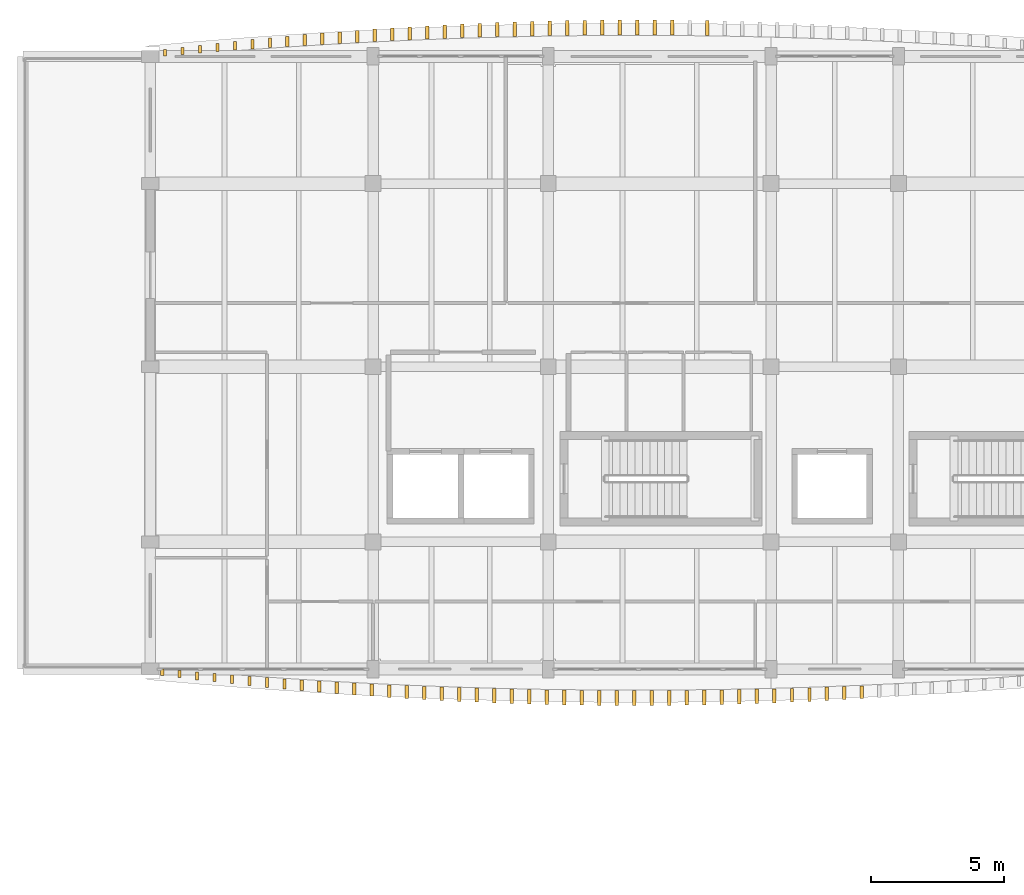
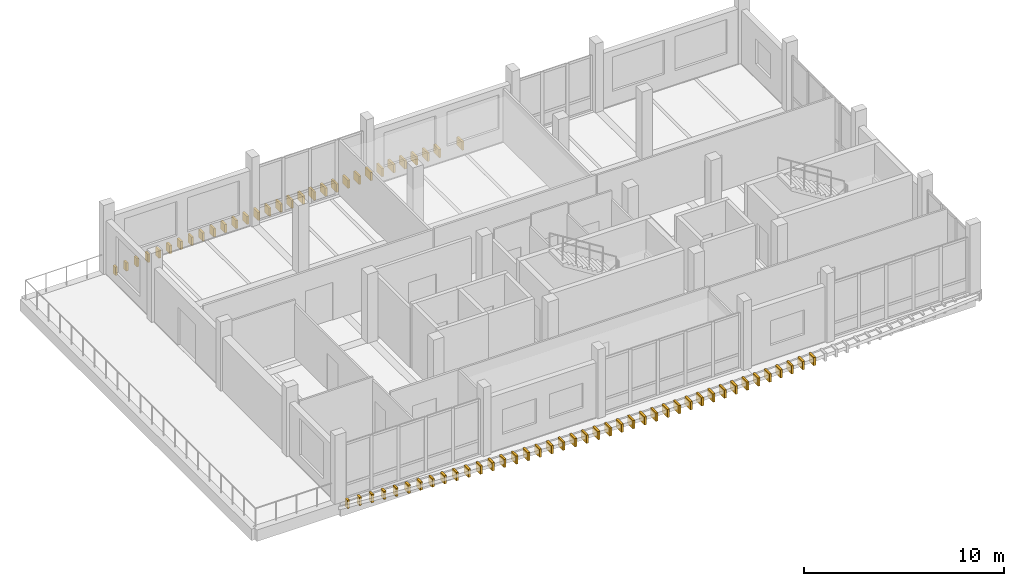
# One storey, part 18 of 20: 72 coverings.
"""IFC4 building model written with IfcOpenShell, lengths in metres."""

from ifc_helpers import new_model, si_unit, direction, frame, origin, origin_2d, place, context, subcontext, project, spatial, rectangle, extrude, material, layer, layer_set, type_object, element, save


model = new_model("IFC4")

# Units and contexts
model_context = context("Model", 3, precision=1e-05, world=origin(), true_north=direction((0.0, 1.0)))
body_context = subcontext(model_context, "Body", "Model", "MODEL_VIEW")
ifc_project = project(units=[si_unit("LENGTHUNIT", "METRE"), si_unit("AREAUNIT", "SQUARE_METRE"), si_unit("VOLUMEUNIT", "CUBIC_METRE"), si_unit("PLANEANGLEUNIT", "RADIAN"), si_unit("MASSUNIT", "GRAM", prefix="KILO")], contexts=[model_context])

# Site, building, storey
site_placement = place(None, origin())
site = spatial("IfcSite", under=ifc_project, at=site_placement, CompositionType="ELEMENT")
building_placement = place(site_placement, origin())
building = spatial("IfcBuilding", under=site, at=building_placement, Name="Dornvale Research Institute", CompositionType="ELEMENT")
storey_placement = place(building_placement, frame((0.0, 0.0, 34.199951171875)))
storey = spatial("IfcBuildingStorey", under=building, at=storey_placement, Name="L07", CompositionType="ELEMENT", Elevation=34.199951171875)

# Coverings
ifc_material = material(Name="Polychrome Glazed Terracotta Visor Rib Ceramic", Category="masonry")
ifc_layer = layer(ifc_material, 0.1201171875)
ifc_layer_set = layer_set([ifc_layer], Name="Polychrome Glazed Terracotta Visor Rib Ceramic")
covering_type = type_object("IfcCoveringType", Name="Covering_VisorBlade_Main", PredefinedType="CLADDING", material=ifc_layer_set)
covering_1_placement = place(storey_placement, frame((5.248291015625, 98.88232421875, -0.489990234375), z_axis=(0.0, 0.0, 1.0), x_axis=(0.0, 1.0, 0.0)))
element("IfcCovering", 1, at=covering_1_placement, inside=storey, type_object=covering_type, Name="L07 V5 canted glazed terracotta visor blade #1195", PredefinedType="CLADDING", context=body_context, shape_type="SweptSolid", body=[
    extrude(rectangle(XDim=0.236083984375, YDim=0.1201171875, at=origin_2d()), origin(), (0.0, 0.0, 1.0), 0.5),
])
covering_2_placement = place(storey_placement, frame((5.90576171875, 98.81201171875, -0.489990234375), z_axis=(0.0, 0.0, 1.0), x_axis=(0.0, 1.0, 0.0)))
element("IfcCovering", 2, at=covering_2_placement, inside=storey, type_object=covering_type, Name="L07 V5 canted glazed terracotta visor blade #1196", PredefinedType="CLADDING", context=body_context, shape_type="SweptSolid", body=[
    extrude(rectangle(XDim=0.260009765625, YDim=0.1201171875, at=origin_2d()), origin(), (0.0, 0.0, 1.0), 0.5),
])
covering_3_placement = place(storey_placement, frame((6.563232421875, 98.742919921875, -0.489990234375), z_axis=(0.0, 0.0, 1.0), x_axis=(0.0, 1.0, 0.0)))
element("IfcCovering", 3, at=covering_3_placement, inside=storey, type_object=covering_type, Name="L07 V5 canted glazed terracotta visor blade #1197", PredefinedType="CLADDING", context=body_context, shape_type="SweptSolid", body=[
    extrude(rectangle(XDim=0.282958984375, YDim=0.1201171875, at=origin_2d()), origin(), (0.0, 0.0, 1.0), 0.5),
])
covering_4_placement = place(storey_placement, frame((7.220947265625, 98.6796875, -0.489990234375), z_axis=(0.0, 0.0, 1.0), x_axis=(0.0, 1.0, 0.0)))
element("IfcCovering", 4, at=covering_4_placement, inside=storey, type_object=covering_type, Name="L07 V5 canted glazed terracotta visor blade #1198", PredefinedType="CLADDING", context=body_context, shape_type="SweptSolid", body=[
    extrude(rectangle(XDim=0.303955078125, YDim=0.1201171875, at=origin_2d()), origin(), (0.0, 0.0, 1.0), 0.5),
])
covering_5_placement = place(storey_placement, frame((7.87890625, 98.616455078125, -0.489990234375), z_axis=(0.0, 0.0, 1.0), x_axis=(0.0, 1.0, 0.0)))
element("IfcCovering", 5, at=covering_5_placement, inside=storey, type_object=covering_type, Name="L07 V5 canted glazed terracotta visor blade #1199", PredefinedType="CLADDING", context=body_context, shape_type="SweptSolid", body=[
    extrude(rectangle(XDim=0.324951171875, YDim=0.1201171875, at=origin_2d()), origin(), (0.0, 0.0, 1.0), 0.5),
])
covering_6_placement = place(storey_placement, frame((8.537109375, 98.55712890625, -0.489990234375), z_axis=(0.0, 0.0, 1.0), x_axis=(0.0, 1.0, 0.0)))
element("IfcCovering", 6, at=covering_6_placement, inside=storey, type_object=covering_type, Name="L07 V5 canted glazed terracotta visor blade #1200", PredefinedType="CLADDING", context=body_context, shape_type="SweptSolid", body=[
    extrude(rectangle(XDim=0.344970703125, YDim=0.1201171875, at=origin_2d()), origin(), (0.0, 0.0, 1.0), 0.5),
])
covering_7_placement = place(storey_placement, frame((9.1953125, 98.500244140625, -0.489990234375), z_axis=(0.0, 0.0, 1.0), x_axis=(0.0, 1.0, 0.0)))
element("IfcCovering", 7, at=covering_7_placement, inside=storey, type_object=covering_type, Name="L07 V5 canted glazed terracotta visor blade #1201", PredefinedType="CLADDING", context=body_context, shape_type="SweptSolid", body=[
    extrude(rectangle(XDim=0.364013671875, YDim=0.1201171875, at=origin_2d()), origin(), (0.0, 0.0, 1.0), 0.5),
])
covering_8_placement = place(storey_placement, frame((9.853759765625, 98.444580078125, -0.489990234375), z_axis=(0.0, 0.0, 1.0), x_axis=(0.0, 1.0, 0.0)))
element("IfcCovering", 8, at=covering_8_placement, inside=storey, type_object=covering_type, Name="L07 V5 canted glazed terracotta visor blade #1202", PredefinedType="CLADDING", context=body_context, shape_type="SweptSolid", body=[
    extrude(rectangle(XDim=0.382080078125, YDim=0.1201171875, at=origin_2d()), origin(), (0.0, 0.0, 1.0), 0.5),
])
covering_9_placement = place(storey_placement, frame((10.512451171875, 98.394287109375, -0.489990234375), z_axis=(0.0, 0.0, 1.0), x_axis=(0.0, 1.0, 0.0)))
element("IfcCovering", 9, at=covering_9_placement, inside=storey, type_object=covering_type, Name="L07 V5 canted glazed terracotta visor blade #1203", PredefinedType="CLADDING", context=body_context, shape_type="SweptSolid", body=[
    extrude(rectangle(XDim=0.39892578125, YDim=0.1201171875, at=origin_2d()), origin(), (0.0, 0.0, 1.0), 0.5),
])
covering_10_placement = place(storey_placement, frame((11.171142578125, 98.34423828125, -0.489990234375), z_axis=(0.0, 0.0, 1.0), x_axis=(0.0, 1.0, 0.0)))
element("IfcCovering", 10, at=covering_10_placement, inside=storey, type_object=covering_type, Name="L07 V5 canted glazed terracotta visor blade #1204", PredefinedType="CLADDING", context=body_context, shape_type="SweptSolid", body=[
    extrude(rectangle(XDim=0.416015625, YDim=0.1201171875, at=origin_2d()), origin(), (0.0, 0.0, 1.0), 0.5),
])
covering_11_placement = place(storey_placement, frame((11.829833984375, 98.298095703125, -0.489990234375), z_axis=(0.0, 0.0, 1.0), x_axis=(0.0, 1.0, 0.0)))
element("IfcCovering", 11, at=covering_11_placement, inside=storey, type_object=covering_type, Name="L07 V5 canted glazed terracotta visor blade #1205", PredefinedType="CLADDING", context=body_context, shape_type="SweptSolid", body=[
    extrude(rectangle(XDim=0.430908203125, YDim=0.1201171875, at=origin_2d()), origin(), (0.0, 0.0, 1.0), 0.5),
])
covering_12_placement = place(storey_placement, frame((12.489013671875, 98.25439453125, -0.489990234375), z_axis=(0.0, 0.0, 1.0), x_axis=(0.0, 1.0, 0.0)))
element("IfcCovering", 12, at=covering_12_placement, inside=storey, type_object=covering_type, Name="L07 V5 canted glazed terracotta visor blade #1206", PredefinedType="CLADDING", context=body_context, shape_type="SweptSolid", body=[
    extrude(rectangle(XDim=0.446044921875, YDim=0.1201171875, at=origin_2d()), origin(), (0.0, 0.0, 1.0), 0.5),
])
covering_13_placement = place(storey_placement, frame((13.14794921875, 98.21142578125, -0.489990234375), z_axis=(0.0, 0.0, 1.0), x_axis=(0.0, 1.0, 0.0)))
element("IfcCovering", 13, at=covering_13_placement, inside=storey, type_object=covering_type, Name="L07 V5 canted glazed terracotta visor blade #1207", PredefinedType="CLADDING", context=body_context, shape_type="SweptSolid", body=[
    extrude(rectangle(XDim=0.4599609375, YDim=0.1201171875, at=origin_2d()), origin(), (0.0, 0.0, 1.0), 0.5),
])
covering_14_placement = place(storey_placement, frame((13.807373046875, 98.17431640625, -0.489990234375), z_axis=(0.0, 0.0, 1.0), x_axis=(0.0, 1.0, 0.0)))
element("IfcCovering", 14, at=covering_14_placement, inside=storey, type_object=covering_type, Name="L07 V5 canted glazed terracotta visor blade #1208", PredefinedType="CLADDING", context=body_context, shape_type="SweptSolid", body=[
    extrude(rectangle(XDim=0.472900390625, YDim=0.1201171875, at=origin_2d()), origin(), (0.0, 0.0, 1.0), 0.5),
])
covering_15_placement = place(storey_placement, frame((14.466552734375, 98.13818359375, -0.489990234375), z_axis=(0.0, 0.0, 1.0), x_axis=(0.0, 1.0, 0.0)))
element("IfcCovering", 15, at=covering_15_placement, inside=storey, type_object=covering_type, Name="L07 V5 canted glazed terracotta visor blade #1209", PredefinedType="CLADDING", context=body_context, shape_type="SweptSolid", body=[
    extrude(rectangle(XDim=0.48388671875, YDim=0.1201171875, at=origin_2d()), origin(), (0.0, 0.0, 1.0), 0.5),
])
covering_16_placement = place(storey_placement, frame((15.1259765625, 98.1044921875, -0.489990234375), z_axis=(0.0, 0.0, 1.0), x_axis=(0.0, 1.0, 0.0)))
element("IfcCovering", 16, at=covering_16_placement, inside=storey, type_object=covering_type, Name="L07 V5 canted glazed terracotta visor blade #1210", PredefinedType="CLADDING", context=body_context, shape_type="SweptSolid", body=[
    extrude(rectangle(XDim=0.49609375, YDim=0.1201171875, at=origin_2d()), origin(), (0.0, 0.0, 1.0), 0.5),
])
covering_17_placement = place(storey_placement, frame((15.785400390625, 98.074462890625, -0.489990234375), z_axis=(0.0, 0.0, 1.0), x_axis=(0.0, 1.0, 0.0)))
element("IfcCovering", 17, at=covering_17_placement, inside=storey, type_object=covering_type, Name="L07 V5 canted glazed terracotta visor blade #1211", PredefinedType="CLADDING", context=body_context, shape_type="SweptSolid", body=[
    extrude(rectangle(XDim=0.506103515625, YDim=0.1201171875, at=origin_2d()), origin(), (0.0, 0.0, 1.0), 0.5),
])
covering_18_placement = place(storey_placement, frame((16.445068359375, 98.044921875, -0.489990234375), z_axis=(0.0, 0.0, 1.0), x_axis=(0.0, 1.0, 0.0)))
element("IfcCovering", 18, at=covering_18_placement, inside=storey, type_object=covering_type, Name="L07 V5 canted glazed terracotta visor blade #1212", PredefinedType="CLADDING", context=body_context, shape_type="SweptSolid", body=[
    extrude(rectangle(XDim=0.514892578125, YDim=0.1201171875, at=origin_2d()), origin(), (0.0, 0.0, 1.0), 0.5),
])
covering_19_placement = place(storey_placement, frame((17.104736328125, 98.02099609375, -0.489990234375), z_axis=(0.0, 0.0, 1.0), x_axis=(0.0, 1.0, 0.0)))
element("IfcCovering", 19, at=covering_19_placement, inside=storey, type_object=covering_type, Name="L07 V5 canted glazed terracotta visor blade #1213", PredefinedType="CLADDING", context=body_context, shape_type="SweptSolid", body=[
    extrude(rectangle(XDim=0.52392578125, YDim=0.1201171875, at=origin_2d()), origin(), (0.0, 0.0, 1.0), 0.5),
])
covering_20_placement = place(storey_placement, frame((17.764404296875, 97.997802734375, -0.489990234375), z_axis=(0.0, 0.0, 1.0), x_axis=(0.0, 1.0, 0.0)))
element("IfcCovering", 20, at=covering_20_placement, inside=storey, type_object=covering_type, Name="L07 V5 canted glazed terracotta visor blade #1214", PredefinedType="CLADDING", context=body_context, shape_type="SweptSolid", body=[
    extrude(rectangle(XDim=0.531005859375, YDim=0.1201171875, at=origin_2d()), origin(), (0.0, 0.0, 1.0), 0.5),
])
covering_21_placement = place(storey_placement, frame((18.42431640625, 97.9775390625, -0.489990234375), z_axis=(0.0, 0.0, 1.0), x_axis=(0.0, 1.0, 0.0)))
element("IfcCovering", 21, at=covering_21_placement, inside=storey, type_object=covering_type, Name="L07 V5 canted glazed terracotta visor blade #1215", PredefinedType="CLADDING", context=body_context, shape_type="SweptSolid", body=[
    extrude(rectangle(XDim=0.5380859375, YDim=0.1201171875, at=origin_2d()), origin(), (0.0, 0.0, 1.0), 0.5),
])
covering_22_placement = place(storey_placement, frame((19.083984375, 97.960693359375, -0.489990234375), z_axis=(0.0, 0.0, 1.0), x_axis=(0.0, 1.0, 0.0)))
element("IfcCovering", 22, at=covering_22_placement, inside=storey, type_object=covering_type, Name="L07 V5 canted glazed terracotta visor blade #1216", PredefinedType="CLADDING", context=body_context, shape_type="SweptSolid", body=[
    extrude(rectangle(XDim=0.5439453125, YDim=0.1201171875, at=origin_2d()), origin(), (0.0, 0.0, 1.0), 0.5),
])
covering_23_placement = place(storey_placement, frame((19.743896484375, 97.944091796875, -0.489990234375), z_axis=(0.0, 0.0, 1.0), x_axis=(0.0, 1.0, 0.0)))
element("IfcCovering", 23, at=covering_23_placement, inside=storey, type_object=covering_type, Name="L07 V5 canted glazed terracotta visor blade #1217", PredefinedType="CLADDING", context=body_context, shape_type="SweptSolid", body=[
    extrude(rectangle(XDim=0.549072265625, YDim=0.1201171875, at=origin_2d()), origin(), (0.0, 0.0, 1.0), 0.5),
])
covering_24_placement = place(storey_placement, frame((20.40380859375, 97.93359375, -0.489990234375), z_axis=(0.0, 0.0, 1.0), x_axis=(0.0, 1.0, 0.0)))
element("IfcCovering", 24, at=covering_24_placement, inside=storey, type_object=covering_type, Name="L07 V5 canted glazed terracotta visor blade #1218", PredefinedType="CLADDING", context=body_context, shape_type="SweptSolid", body=[
    extrude(rectangle(XDim=0.552978515625, YDim=0.1201171875, at=origin_2d()), origin(), (0.0, 0.0, 1.0), 0.5),
])
covering_25_placement = place(storey_placement, frame((21.063720703125, 97.923583984375, -0.489990234375), z_axis=(0.0, 0.0, 1.0), x_axis=(0.0, 1.0, 0.0)))
element("IfcCovering", 25, at=covering_25_placement, inside=storey, type_object=covering_type, Name="L07 V5 canted glazed terracotta visor blade #1219", PredefinedType="CLADDING", context=body_context, shape_type="SweptSolid", body=[
    extrude(rectangle(XDim=0.555908203125, YDim=0.1201171875, at=origin_2d()), origin(), (0.0, 0.0, 1.0), 0.5),
])
covering_26_placement = place(storey_placement, frame((21.723876953125, 97.916748046875, -0.489990234375), z_axis=(0.0, 0.0, 1.0), x_axis=(0.0, 1.0, 0.0)))
element("IfcCovering", 26, at=covering_26_placement, inside=storey, type_object=covering_type, Name="L07 V5 canted glazed terracotta visor blade #1220", PredefinedType="CLADDING", context=body_context, shape_type="SweptSolid", body=[
    extrude(rectangle(XDim=0.55810546875, YDim=0.1201171875, at=origin_2d()), origin(), (0.0, 0.0, 1.0), 0.5),
])
covering_27_placement = place(storey_placement, frame((22.3837890625, 97.91357421875, -0.489990234375), z_axis=(0.0, 0.0, 1.0), x_axis=(0.0, 1.0, 0.0)))
element("IfcCovering", 27, at=covering_27_placement, inside=storey, type_object=covering_type, Name="L07 V5 canted glazed terracotta visor blade #1221", PredefinedType="CLADDING", context=body_context, shape_type="SweptSolid", body=[
    extrude(rectangle(XDim=0.55908203125, YDim=0.1201171875, at=origin_2d()), origin(), (0.0, 0.0, 1.0), 0.5),
])
for number, where, z_axis, x_axis, name in (
    (28, (23.043701171875, 97.91015625, -0.489990234375), (0.0, 0.0, 1.0), (0.0, 1.0, 0.0), "L07 V5 canted glazed terracotta visor blade #1222"),
    (29, (23.703857421875, 97.91259765625, -0.489990234375), (0.0, 0.0, 1.0), (0.0, 1.0, 0.0), "L07 V5 canted glazed terracotta visor blade #1223"),
):
    element("IfcCovering", number, at=place(storey_placement, frame(where, z_axis=z_axis, x_axis=x_axis)), inside=storey, type_object=covering_type, Name=name, PredefinedType="CLADDING", context=body_context, shape_type="SweptSolid", body=[
        extrude(rectangle(XDim=0.56005859375, YDim=0.1201171875, at=origin_2d()), origin(), (0.0, 0.0, 1.0), 0.5),
    ])
covering_28_placement = place(storey_placement, frame((24.36376953125, 97.916259765625, -0.489990234375), z_axis=(0.0, 0.0, 1.0), x_axis=(0.0, 1.0, 0.0)))
element("IfcCovering", 30, at=covering_28_placement, inside=storey, type_object=covering_type, Name="L07 V5 canted glazed terracotta visor blade #1224", PredefinedType="CLADDING", context=body_context, shape_type="SweptSolid", body=[
    extrude(rectangle(XDim=0.55810546875, YDim=0.1201171875, at=origin_2d()), origin(), (0.0, 0.0, 1.0), 0.5),
])
covering_29_placement = place(storey_placement, frame((25.023681640625, 97.92236328125, -0.489990234375), z_axis=(0.0, 0.0, 1.0), x_axis=(0.0, 1.0, 0.0)))
element("IfcCovering", 31, at=covering_29_placement, inside=storey, type_object=covering_type, Name="L07 V5 canted glazed terracotta visor blade #1225", PredefinedType="CLADDING", context=body_context, shape_type="SweptSolid", body=[
    extrude(rectangle(XDim=0.555908203125, YDim=0.1201171875, at=origin_2d()), origin(), (0.0, 0.0, 1.0), 0.5),
])
covering_30_placement = place(storey_placement, frame((25.68359375, 97.93212890625, -0.489990234375), z_axis=(0.0, 0.0, 1.0), x_axis=(0.0, 1.0, 0.0)))
element("IfcCovering", 32, at=covering_30_placement, inside=storey, type_object=covering_type, Name="L07 V5 canted glazed terracotta visor blade #1226", PredefinedType="CLADDING", context=body_context, shape_type="SweptSolid", body=[
    extrude(rectangle(XDim=0.552978515625, YDim=0.1201171875, at=origin_2d()), origin(), (0.0, 0.0, 1.0), 0.5),
])
covering_31_placement = place(storey_placement, frame((26.343505859375, 97.9423828125, -0.489990234375), z_axis=(0.0, 0.0, 1.0), x_axis=(0.0, 1.0, 0.0)))
element("IfcCovering", 33, at=covering_31_placement, inside=storey, type_object=covering_type, Name="L07 V5 canted glazed terracotta visor blade #1227", PredefinedType="CLADDING", context=body_context, shape_type="SweptSolid", body=[
    extrude(rectangle(XDim=0.549072265625, YDim=0.1201171875, at=origin_2d()), origin(), (0.0, 0.0, 1.0), 0.5),
])
covering_32_placement = place(storey_placement, frame((27.00341796875, 97.957763671875, -0.489990234375), z_axis=(0.0, 0.0, 1.0), x_axis=(0.0, 1.0, 0.0)))
element("IfcCovering", 34, at=covering_32_placement, inside=storey, type_object=covering_type, Name="L07 V5 canted glazed terracotta visor blade #1228", PredefinedType="CLADDING", context=body_context, shape_type="SweptSolid", body=[
    extrude(rectangle(XDim=0.544921875, YDim=0.1201171875, at=origin_2d()), origin(), (0.0, 0.0, 1.0), 0.5),
])
covering_33_placement = place(storey_placement, frame((27.663330078125, 97.974609375, -0.489990234375), z_axis=(0.0, 0.0, 1.0), x_axis=(0.0, 1.0, 0.0)))
element("IfcCovering", 35, at=covering_33_placement, inside=storey, type_object=covering_type, Name="L07 V5 canted glazed terracotta visor blade #1229", PredefinedType="CLADDING", context=body_context, shape_type="SweptSolid", body=[
    extrude(rectangle(XDim=0.5390625, YDim=0.1201171875, at=origin_2d()), origin(), (0.0, 0.0, 1.0), 0.5),
])
covering_34_placement = place(storey_placement, frame((28.322998046875, 97.994140625, -0.489990234375), z_axis=(0.0, 0.0, 1.0), x_axis=(0.0, 1.0, 0.0)))
element("IfcCovering", 36, at=covering_34_placement, inside=storey, type_object=covering_type, Name="L07 V5 canted glazed terracotta visor blade #1230", PredefinedType="CLADDING", context=body_context, shape_type="SweptSolid", body=[
    extrude(rectangle(XDim=0.531982421875, YDim=0.1201171875, at=origin_2d()), origin(), (0.0, 0.0, 1.0), 0.5),
])
covering_35_placement = place(storey_placement, frame((28.98291015625, 98.01708984375, -0.489990234375), z_axis=(0.0, 0.0, 1.0), x_axis=(0.0, 1.0, 0.0)))
element("IfcCovering", 37, at=covering_35_placement, inside=storey, type_object=covering_type, Name="L07 V5 canted glazed terracotta visor blade #1231", PredefinedType="CLADDING", context=body_context, shape_type="SweptSolid", body=[
    extrude(rectangle(XDim=0.52490234375, YDim=0.1201171875, at=origin_2d()), origin(), (0.0, 0.0, 1.0), 0.5),
])
covering_36_placement = place(storey_placement, frame((29.642578125, 98.04052734375, -0.489990234375), z_axis=(0.0, 0.0, 1.0), x_axis=(0.0, 1.0, 0.0)))
element("IfcCovering", 38, at=covering_36_placement, inside=storey, type_object=covering_type, Name="L07 V5 canted glazed terracotta visor blade #1232", PredefinedType="CLADDING", context=body_context, shape_type="SweptSolid", body=[
    extrude(rectangle(XDim=0.51708984375, YDim=0.1201171875, at=origin_2d()), origin(), (0.0, 0.0, 1.0), 0.5),
])
covering_37_placement = place(storey_placement, frame((30.302001953125, 98.069580078125, -0.489990234375), z_axis=(0.0, 0.0, 1.0), x_axis=(0.0, 1.0, 0.0)))
element("IfcCovering", 39, at=covering_37_placement, inside=storey, type_object=covering_type, Name="L07 V5 canted glazed terracotta visor blade #1233", PredefinedType="CLADDING", context=body_context, shape_type="SweptSolid", body=[
    extrude(rectangle(XDim=0.507080078125, YDim=0.1201171875, at=origin_2d()), origin(), (0.0, 0.0, 1.0), 0.5),
])
covering_38_placement = place(storey_placement, frame((30.961669921875, 98.099853515625, -0.489990234375), z_axis=(0.0, 0.0, 1.0), x_axis=(0.0, 1.0, 0.0)))
element("IfcCovering", 40, at=covering_38_placement, inside=storey, type_object=covering_type, Name="L07 V5 canted glazed terracotta visor blade #1234", PredefinedType="CLADDING", context=body_context, shape_type="SweptSolid", body=[
    extrude(rectangle(XDim=0.4970703125, YDim=0.1201171875, at=origin_2d()), origin(), (0.0, 0.0, 1.0), 0.5),
])
covering_39_placement = place(storey_placement, frame((31.62109375, 98.132080078125, -0.489990234375), z_axis=(0.0, 0.0, 1.0), x_axis=(0.0, 1.0, 0.0)))
element("IfcCovering", 41, at=covering_39_placement, inside=storey, type_object=covering_type, Name="L07 V5 canted glazed terracotta visor blade #1235", PredefinedType="CLADDING", context=body_context, shape_type="SweptSolid", body=[
    extrude(rectangle(XDim=0.486083984375, YDim=0.1201171875, at=origin_2d()), origin(), (0.0, 0.0, 1.0), 0.5),
])
covering_40_placement = place(storey_placement, frame((25.796142578125, 123.16650390625, -0.489990234375), z_axis=(0.0, 0.0, 1.0), x_axis=(0.0, 1.0, 0.0)))
element("IfcCovering", 42, at=covering_40_placement, inside=storey, type_object=covering_type, Name="L07 V5 canted glazed terracotta visor blade #1273", PredefinedType="CLADDING", context=body_context, shape_type="SweptSolid", body=[
    extrude(rectangle(XDim=0.552978515625, YDim=0.1201171875, at=origin_2d()), origin(), (0.0, 0.0, 1.0), 0.5),
])
covering_41_placement = place(storey_placement, frame((24.476318359375, 123.18310546875, -0.489990234375), z_axis=(0.0, 0.0, 1.0), x_axis=(0.0, 1.0, 0.0)))
element("IfcCovering", 43, at=covering_41_placement, inside=storey, type_object=covering_type, Name="L07 V5 canted glazed terracotta visor blade #1275", PredefinedType="CLADDING", context=body_context, shape_type="SweptSolid", body=[
    extrude(rectangle(XDim=0.55810546875, YDim=0.1201171875, at=origin_2d()), origin(), (0.0, 0.0, 1.0), 0.5),
])
covering_42_placement = place(storey_placement, frame((23.816162109375, 123.1865234375, -0.489990234375), z_axis=(0.0, 0.0, 1.0), x_axis=(0.0, 1.0, 0.0)))
element("IfcCovering", 44, at=covering_42_placement, inside=storey, type_object=covering_type, Name="L07 V5 canted glazed terracotta visor blade #1276", PredefinedType="CLADDING", context=body_context, shape_type="SweptSolid", body=[
    extrude(rectangle(XDim=0.55908203125, YDim=0.1201171875, at=origin_2d()), origin(), (0.0, 0.0, 1.0), 0.5),
])
for number, where, z_axis, x_axis, name in (
    (45, (23.15625, 123.189697265625, -0.489990234375), (0.0, 0.0, 1.0), (0.0, 1.0, 0.0), "L07 V5 canted glazed terracotta visor blade #1277"),
    (46, (22.49609375, 123.1875, -0.489990234375), (0.0, 0.0, 1.0), (0.0, 1.0, 0.0), "L07 V5 canted glazed terracotta visor blade #1278"),
):
    element("IfcCovering", number, at=place(storey_placement, frame(where, z_axis=z_axis, x_axis=x_axis)), inside=storey, type_object=covering_type, Name=name, PredefinedType="CLADDING", context=body_context, shape_type="SweptSolid", body=[
        extrude(rectangle(XDim=0.56005859375, YDim=0.1201171875, at=origin_2d()), origin(), (0.0, 0.0, 1.0), 0.5),
    ])
covering_43_placement = place(storey_placement, frame((21.836181640625, 123.18359375, -0.489990234375), z_axis=(0.0, 0.0, 1.0), x_axis=(0.0, 1.0, 0.0)))
element("IfcCovering", 47, at=covering_43_placement, inside=storey, type_object=covering_type, Name="L07 V5 canted glazed terracotta visor blade #1279", PredefinedType="CLADDING", context=body_context, shape_type="SweptSolid", body=[
    extrude(rectangle(XDim=0.55810546875, YDim=0.1201171875, at=origin_2d()), origin(), (0.0, 0.0, 1.0), 0.5),
])
covering_44_placement = place(storey_placement, frame((21.17626953125, 123.177734375, -0.489990234375), z_axis=(0.0, 0.0, 1.0), x_axis=(0.0, 1.0, 0.0)))
element("IfcCovering", 48, at=covering_44_placement, inside=storey, type_object=covering_type, Name="L07 V5 canted glazed terracotta visor blade #1280", PredefinedType="CLADDING", context=body_context, shape_type="SweptSolid", body=[
    extrude(rectangle(XDim=0.555908203125, YDim=0.1201171875, at=origin_2d()), origin(), (0.0, 0.0, 1.0), 0.5),
])
covering_45_placement = place(storey_placement, frame((20.516357421875, 123.167724609375, -0.489990234375), z_axis=(0.0, 0.0, 1.0), x_axis=(0.0, 1.0, 0.0)))
element("IfcCovering", 49, at=covering_45_placement, inside=storey, type_object=covering_type, Name="L07 V5 canted glazed terracotta visor blade #1281", PredefinedType="CLADDING", context=body_context, shape_type="SweptSolid", body=[
    extrude(rectangle(XDim=0.552978515625, YDim=0.1201171875, at=origin_2d()), origin(), (0.0, 0.0, 1.0), 0.5),
])
covering_46_placement = place(storey_placement, frame((19.8564453125, 123.157470703125, -0.489990234375), z_axis=(0.0, 0.0, 1.0), x_axis=(0.0, 1.0, 0.0)))
element("IfcCovering", 50, at=covering_46_placement, inside=storey, type_object=covering_type, Name="L07 V5 canted glazed terracotta visor blade #1282", PredefinedType="CLADDING", context=body_context, shape_type="SweptSolid", body=[
    extrude(rectangle(XDim=0.549072265625, YDim=0.1201171875, at=origin_2d()), origin(), (0.0, 0.0, 1.0), 0.5),
])
covering_47_placement = place(storey_placement, frame((19.196533203125, 123.14208984375, -0.489990234375), z_axis=(0.0, 0.0, 1.0), x_axis=(0.0, 1.0, 0.0)))
element("IfcCovering", 51, at=covering_47_placement, inside=storey, type_object=covering_type, Name="L07 V5 canted glazed terracotta visor blade #1283", PredefinedType="CLADDING", context=body_context, shape_type="SweptSolid", body=[
    extrude(rectangle(XDim=0.544921875, YDim=0.1201171875, at=origin_2d()), origin(), (0.0, 0.0, 1.0), 0.5),
])
covering_48_placement = place(storey_placement, frame((18.53662109375, 123.125244140625, -0.489990234375), z_axis=(0.0, 0.0, 1.0), x_axis=(0.0, 1.0, 0.0)))
element("IfcCovering", 52, at=covering_48_placement, inside=storey, type_object=covering_type, Name="L07 V5 canted glazed terracotta visor blade #1284", PredefinedType="CLADDING", context=body_context, shape_type="SweptSolid", body=[
    extrude(rectangle(XDim=0.5390625, YDim=0.1201171875, at=origin_2d()), origin(), (0.0, 0.0, 1.0), 0.5),
])
covering_49_placement = place(storey_placement, frame((17.876953125, 123.10595703125, -0.489990234375), z_axis=(0.0, 0.0, 1.0), x_axis=(0.0, 1.0, 0.0)))
element("IfcCovering", 53, at=covering_49_placement, inside=storey, type_object=covering_type, Name="L07 V5 canted glazed terracotta visor blade #1285", PredefinedType="CLADDING", context=body_context, shape_type="SweptSolid", body=[
    extrude(rectangle(XDim=0.531982421875, YDim=0.1201171875, at=origin_2d()), origin(), (0.0, 0.0, 1.0), 0.5),
])
covering_50_placement = place(storey_placement, frame((17.217041015625, 123.0830078125, -0.489990234375), z_axis=(0.0, 0.0, 1.0), x_axis=(0.0, 1.0, 0.0)))
element("IfcCovering", 54, at=covering_50_placement, inside=storey, type_object=covering_type, Name="L07 V5 canted glazed terracotta visor blade #1286", PredefinedType="CLADDING", context=body_context, shape_type="SweptSolid", body=[
    extrude(rectangle(XDim=0.52490234375, YDim=0.1201171875, at=origin_2d()), origin(), (0.0, 0.0, 1.0), 0.5),
])
covering_51_placement = place(storey_placement, frame((16.557373046875, 123.059326171875, -0.489990234375), z_axis=(0.0, 0.0, 1.0), x_axis=(0.0, 1.0, 0.0)))
element("IfcCovering", 55, at=covering_51_placement, inside=storey, type_object=covering_type, Name="L07 V5 canted glazed terracotta visor blade #1287", PredefinedType="CLADDING", context=body_context, shape_type="SweptSolid", body=[
    extrude(rectangle(XDim=0.51708984375, YDim=0.1201171875, at=origin_2d()), origin(), (0.0, 0.0, 1.0), 0.5),
])
covering_52_placement = place(storey_placement, frame((15.89794921875, 123.0302734375, -0.489990234375), z_axis=(0.0, 0.0, 1.0), x_axis=(0.0, 1.0, 0.0)))
element("IfcCovering", 56, at=covering_52_placement, inside=storey, type_object=covering_type, Name="L07 V5 canted glazed terracotta visor blade #1288", PredefinedType="CLADDING", context=body_context, shape_type="SweptSolid", body=[
    extrude(rectangle(XDim=0.507080078125, YDim=0.1201171875, at=origin_2d()), origin(), (0.0, 0.0, 1.0), 0.5),
])
covering_53_placement = place(storey_placement, frame((15.23828125, 123.000244140625, -0.489990234375), z_axis=(0.0, 0.0, 1.0), x_axis=(0.0, 1.0, 0.0)))
element("IfcCovering", 57, at=covering_53_placement, inside=storey, type_object=covering_type, Name="L07 V5 canted glazed terracotta visor blade #1289", PredefinedType="CLADDING", context=body_context, shape_type="SweptSolid", body=[
    extrude(rectangle(XDim=0.4970703125, YDim=0.1201171875, at=origin_2d()), origin(), (0.0, 0.0, 1.0), 0.5),
])
covering_54_placement = place(storey_placement, frame((14.578857421875, 122.968017578125, -0.489990234375), z_axis=(0.0, 0.0, 1.0), x_axis=(0.0, 1.0, 0.0)))
element("IfcCovering", 58, at=covering_54_placement, inside=storey, type_object=covering_type, Name="L07 V5 canted glazed terracotta visor blade #1290", PredefinedType="CLADDING", context=body_context, shape_type="SweptSolid", body=[
    extrude(rectangle(XDim=0.486083984375, YDim=0.1201171875, at=origin_2d()), origin(), (0.0, 0.0, 1.0), 0.5),
])
covering_55_placement = place(storey_placement, frame((13.919677734375, 122.931884765625, -0.489990234375), z_axis=(0.0, 0.0, 1.0), x_axis=(0.0, 1.0, 0.0)))
element("IfcCovering", 59, at=covering_55_placement, inside=storey, type_object=covering_type, Name="L07 V5 canted glazed terracotta visor blade #1291", PredefinedType="CLADDING", context=body_context, shape_type="SweptSolid", body=[
    extrude(rectangle(XDim=0.47509765625, YDim=0.1201171875, at=origin_2d()), origin(), (0.0, 0.0, 1.0), 0.5),
])
covering_56_placement = place(storey_placement, frame((13.26025390625, 122.894775390625, -0.489990234375), z_axis=(0.0, 0.0, 1.0), x_axis=(0.0, 1.0, 0.0)))
element("IfcCovering", 60, at=covering_56_placement, inside=storey, type_object=covering_type, Name="L07 V5 canted glazed terracotta visor blade #1292", PredefinedType="CLADDING", context=body_context, shape_type="SweptSolid", body=[
    extrude(rectangle(XDim=0.4619140625, YDim=0.1201171875, at=origin_2d()), origin(), (0.0, 0.0, 1.0), 0.5),
])
covering_57_placement = place(storey_placement, frame((12.601318359375, 122.852783203125, -0.489990234375), z_axis=(0.0, 0.0, 1.0), x_axis=(0.0, 1.0, 0.0)))
element("IfcCovering", 61, at=covering_57_placement, inside=storey, type_object=covering_type, Name="L07 V5 canted glazed terracotta visor blade #1293", PredefinedType="CLADDING", context=body_context, shape_type="SweptSolid", body=[
    extrude(rectangle(XDim=0.447998046875, YDim=0.1201171875, at=origin_2d()), origin(), (0.0, 0.0, 1.0), 0.5),
])
covering_58_placement = place(storey_placement, frame((11.942138671875, 122.8095703125, -0.489990234375), z_axis=(0.0, 0.0, 1.0), x_axis=(0.0, 1.0, 0.0)))
element("IfcCovering", 62, at=covering_58_placement, inside=storey, type_object=covering_type, Name="L07 V5 canted glazed terracotta visor blade #1294", PredefinedType="CLADDING", context=body_context, shape_type="SweptSolid", body=[
    extrude(rectangle(XDim=0.43408203125, YDim=0.1201171875, at=origin_2d()), origin(), (0.0, 0.0, 1.0), 0.5),
])
covering_59_placement = place(storey_placement, frame((11.283203125, 122.763916015625, -0.489990234375), z_axis=(0.0, 0.0, 1.0), x_axis=(0.0, 1.0, 0.0)))
element("IfcCovering", 63, at=covering_59_placement, inside=storey, type_object=covering_type, Name="L07 V5 canted glazed terracotta visor blade #1295", PredefinedType="CLADDING", context=body_context, shape_type="SweptSolid", body=[
    extrude(rectangle(XDim=0.41796875, YDim=0.1201171875, at=origin_2d()), origin(), (0.0, 0.0, 1.0), 0.5),
])
covering_60_placement = place(storey_placement, frame((10.62451171875, 122.714111328125, -0.489990234375), z_axis=(0.0, 0.0, 1.0), x_axis=(0.0, 1.0, 0.0)))
element("IfcCovering", 64, at=covering_60_placement, inside=storey, type_object=covering_type, Name="L07 V5 canted glazed terracotta visor blade #1296", PredefinedType="CLADDING", context=body_context, shape_type="SweptSolid", body=[
    extrude(rectangle(XDim=0.402099609375, YDim=0.1201171875, at=origin_2d()), origin(), (0.0, 0.0, 1.0), 0.5),
])
covering_61_placement = place(storey_placement, frame((9.966064453125, 122.6640625, -0.489990234375), z_axis=(0.0, 0.0, 1.0), x_axis=(0.0, 1.0, 0.0)))
element("IfcCovering", 65, at=covering_61_placement, inside=storey, type_object=covering_type, Name="L07 V5 canted glazed terracotta visor blade #1297", PredefinedType="CLADDING", context=body_context, shape_type="SweptSolid", body=[
    extrude(rectangle(XDim=0.385009765625, YDim=0.1201171875, at=origin_2d()), origin(), (0.0, 0.0, 1.0), 0.5),
])
covering_62_placement = place(storey_placement, frame((9.3076171875, 122.609130859375, -0.489990234375), z_axis=(0.0, 0.0, 1.0), x_axis=(0.0, 1.0, 0.0)))
element("IfcCovering", 66, at=covering_62_placement, inside=storey, type_object=covering_type, Name="L07 V5 canted glazed terracotta visor blade #1298", PredefinedType="CLADDING", context=body_context, shape_type="SweptSolid", body=[
    extrude(rectangle(XDim=0.366943359375, YDim=0.1201171875, at=origin_2d()), origin(), (0.0, 0.0, 1.0), 0.5),
])
covering_63_placement = place(storey_placement, frame((8.649169921875, 122.552490234375, -0.489990234375), z_axis=(0.0, 0.0, 1.0), x_axis=(0.0, 1.0, 0.0)))
element("IfcCovering", 67, at=covering_63_placement, inside=storey, type_object=covering_type, Name="L07 V5 canted glazed terracotta visor blade #1299", PredefinedType="CLADDING", context=body_context, shape_type="SweptSolid", body=[
    extrude(rectangle(XDim=0.347900390625, YDim=0.1201171875, at=origin_2d()), origin(), (0.0, 0.0, 1.0), 0.5),
])
covering_64_placement = place(storey_placement, frame((7.990966796875, 122.494140625, -0.489990234375), z_axis=(0.0, 0.0, 1.0), x_axis=(0.0, 1.0, 0.0)))
element("IfcCovering", 68, at=covering_64_placement, inside=storey, type_object=covering_type, Name="L07 V5 canted glazed terracotta visor blade #1300", PredefinedType="CLADDING", context=body_context, shape_type="SweptSolid", body=[
    extrude(rectangle(XDim=0.327880859375, YDim=0.1201171875, at=origin_2d()), origin(), (0.0, 0.0, 1.0), 0.5),
])
covering_65_placement = place(storey_placement, frame((7.3330078125, 122.431396484375, -0.489990234375), z_axis=(0.0, 0.0, 1.0), x_axis=(0.0, 1.0, 0.0)))
element("IfcCovering", 69, at=covering_65_placement, inside=storey, type_object=covering_type, Name="L07 V5 canted glazed terracotta visor blade #1301", PredefinedType="CLADDING", context=body_context, shape_type="SweptSolid", body=[
    extrude(rectangle(XDim=0.30810546875, YDim=0.1201171875, at=origin_2d()), origin(), (0.0, 0.0, 1.0), 0.5),
])
covering_66_placement = place(storey_placement, frame((6.67529296875, 122.367431640625, -0.489990234375), z_axis=(0.0, 0.0, 1.0), x_axis=(0.0, 1.0, 0.0)))
element("IfcCovering", 70, at=covering_66_placement, inside=storey, type_object=covering_type, Name="L07 V5 canted glazed terracotta visor blade #1302", PredefinedType="CLADDING", context=body_context, shape_type="SweptSolid", body=[
    extrude(rectangle(XDim=0.285888671875, YDim=0.1201171875, at=origin_2d()), origin(), (0.0, 0.0, 1.0), 0.5),
])
covering_67_placement = place(storey_placement, frame((6.017578125, 122.300048828125, -0.489990234375), z_axis=(0.0, 0.0, 1.0), x_axis=(0.0, 1.0, 0.0)))
element("IfcCovering", 71, at=covering_67_placement, inside=storey, type_object=covering_type, Name="L07 V5 canted glazed terracotta visor blade #1303", PredefinedType="CLADDING", context=body_context, shape_type="SweptSolid", body=[
    extrude(rectangle(XDim=0.263916015625, YDim=0.1201171875, at=origin_2d()), origin(), (0.0, 0.0, 1.0), 0.5),
])
covering_68_placement = place(storey_placement, frame((5.3603515625, 122.230224609375, -0.489990234375), z_axis=(0.0, 0.0, 1.0), x_axis=(0.0, 1.0, 0.0)))
element("IfcCovering", 72, at=covering_68_placement, inside=storey, type_object=covering_type, Name="L07 V5 canted glazed terracotta visor blade #1304", PredefinedType="CLADDING", context=body_context, shape_type="SweptSolid", body=[
    extrude(rectangle(XDim=0.240966796875, YDim=0.1201171875, at=origin_2d()), origin(), (0.0, 0.0, 1.0), 0.5),
])

save(model, "model.ifc")
